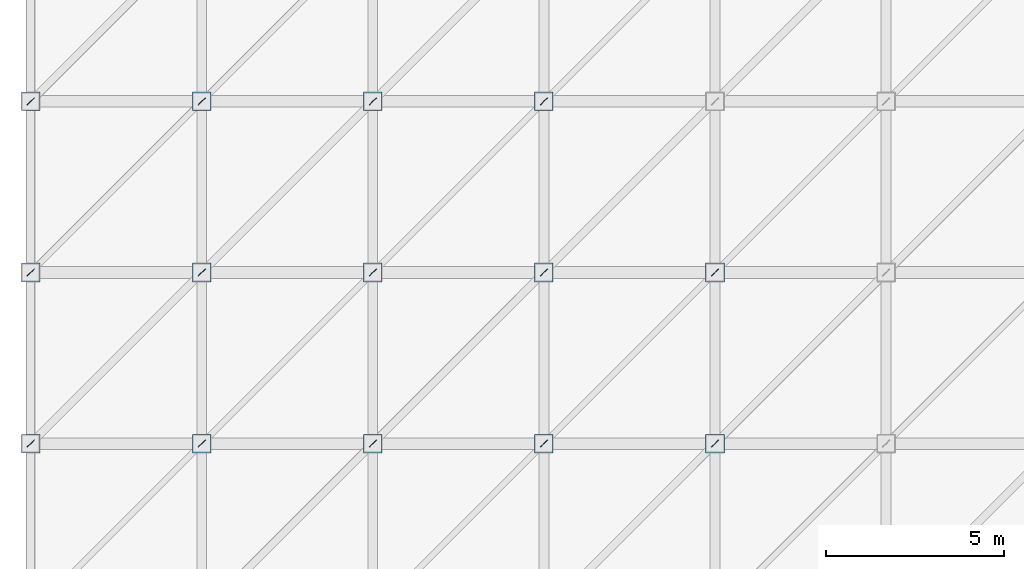
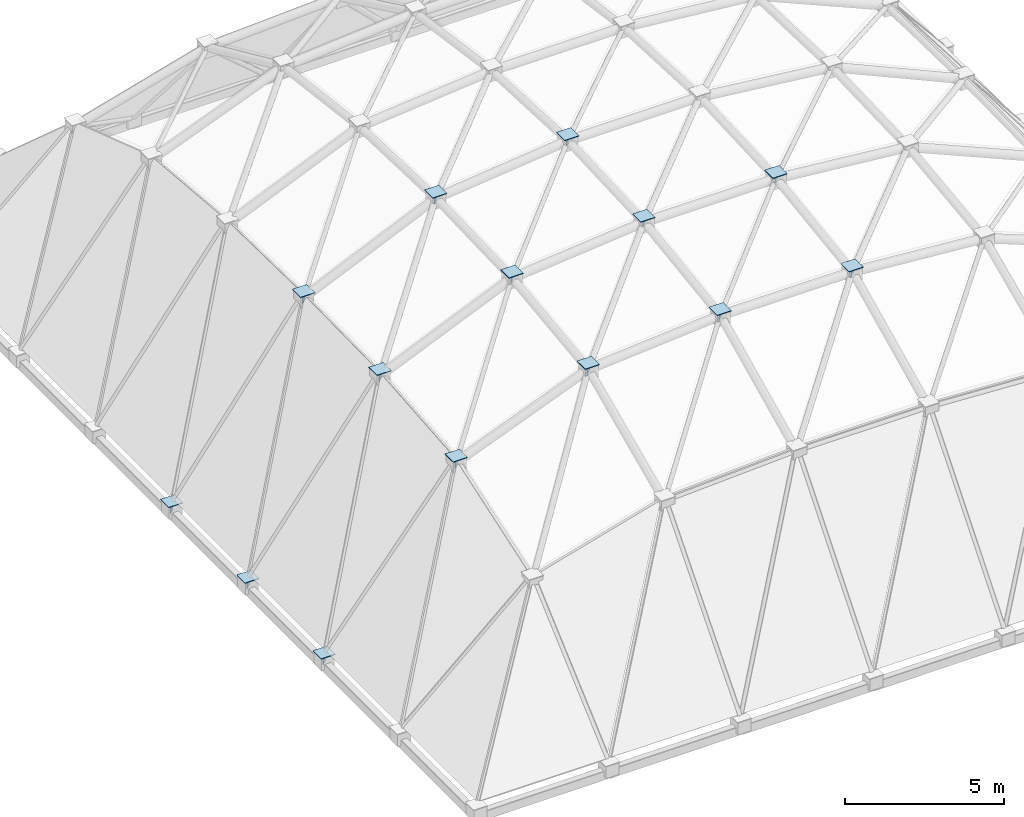
# One storey, part 43 of 70: 28 plates.
"""IFC4 building model written with IfcOpenShell, lengths in metres."""

from ifc_helpers import new_model, si_unit, direction, frame, origin, origin_2d, place, context, subcontext, project, spatial, rectangle, extrude, material, layer, layer_set, type_object, element, save


model = new_model("IFC4")

# Units and contexts
model_context = context("Model", 3, precision=1e-05, world=origin(), true_north=direction((0.0, 1.0)))
body_context = subcontext(model_context, "Body", "Model", "MODEL_VIEW")
ifc_project = project(units=[si_unit("LENGTHUNIT", "METRE"), si_unit("AREAUNIT", "SQUARE_METRE"), si_unit("VOLUMEUNIT", "CUBIC_METRE"), si_unit("PLANEANGLEUNIT", "RADIAN"), si_unit("MASSUNIT", "GRAM", prefix="KILO")], contexts=[model_context])

# Site, building, storey
site_placement = place(None, origin())
site = spatial("IfcSite", under=ifc_project, at=site_placement, CompositionType="ELEMENT")
building_placement = place(site_placement, origin())
building = spatial("IfcBuilding", under=site, at=building_placement, Name="Mavantir Sound Aquarium", CompositionType="ELEMENT")
storey_placement = place(building_placement, frame((0.0, 0.0, 27.0)))
storey = spatial("IfcBuildingStorey", under=building, at=storey_placement, Name="RF", CompositionType="ELEMENT", Elevation=27.0)

# Plates
ifc_material = material(Name="Structural Steel ASTM A572 Gr50", Category="steel")
ifc_layer_1 = layer(ifc_material, 0.01611328125, Name="Structural Steel ASTM A572 Gr50")
ifc_layer_set_1 = layer_set([ifc_layer_1], Name="Structural Steel ASTM A572 Gr50")
plate_type_1 = type_object("IfcPlateType", Name="PLT-GUSSET-16", PredefinedType="SHEET", material=ifc_layer_set_1)
for number, where, z_axis, x_axis, name in (
    (1, (4.800048828125, 50.39990234375, -1.45556640625), (0.0, 0.0, 1.0), (0.707106781187, 0.707106781187, 0.0), "Brace end gusset plate GP-01 4"),
    (2, (0.0, 50.39990234375, -7.33984375), (0.0, 0.0, 1.0), (0.707106781187, 0.707106781187, 0.0), "Brace end gusset plate GP-01 5"),
    (3, (4.800048828125, 55.199951171875, -1.03173828125), (0.0, 0.0, 1.0), (0.707106781187, 0.707106781187, 0.0), "Brace end gusset plate GP-01 6"),
    (4, (0.0, 55.199951171875, -7.33984375), (0.0, 0.0, 1.0), (0.707106781187, 0.707106781187, 0.0), "Brace end gusset plate GP-01 7"),
    (5, (4.800048828125, 60.0, -0.943359375), (0.0, 0.0, 1.0), (0.707106781187, 0.707106781187, 0.0), "Brace end gusset plate GP-01 8"),
    (6, (0.0, 60.0, -7.33984375), (0.0, 0.0, 1.0), (0.707106781187, 0.707106781187, 0.0), "Brace end gusset plate GP-01 9"),
    (7, (9.60009765625, 50.39990234375, 0.43603515625), (0.0, 0.0, 1.0), (0.707106781187, 0.707106781187, 0.0), "Brace end gusset plate GP-01 19"),
    (8, (9.60009765625, 55.199951171875, 1.0341796875), (0.0, 0.0, 1.0), (0.707106781187, 0.707106781187, 0.0), "Brace end gusset plate GP-01 20"),
    (9, (9.60009765625, 60.0, 1.1943359375), (0.0, 0.0, 1.0), (0.707106781187, 0.707106781187, 0.0), "Brace end gusset plate GP-01 21"),
    (10, (14.39990234375, 50.39990234375, 0.82373046875), (0.0, 0.0, 1.0), (0.707106781187, 0.707106781187, 0.0), "Brace end gusset plate GP-01 28"),
    (11, (14.39990234375, 55.199951171875, 1.50244140625), (0.0, 0.0, 1.0), (0.707106781187, 0.707106781187, 0.0), "Brace end gusset plate GP-01 29"),
    (12, (14.39990234375, 60.0, 1.72802734375), (0.0, 0.0, 1.0), (0.707106781187, 0.707106781187, 0.0), "Brace end gusset plate GP-01 30"),
    (13, (19.199951171875, 50.39990234375, 0.82373046875), (0.0, 0.0, 1.0), (0.707106781187, 0.707106781187, 0.0), "Brace end gusset plate GP-01 37"),
    (14, (19.199951171875, 55.199951171875, 1.50244140625), (0.0, 0.0, 1.0), (0.707106781187, 0.707106781187, 0.0), "Brace end gusset plate GP-01 38"),
):
    element("IfcPlate", number, at=place(storey_placement, frame(where, z_axis=z_axis, x_axis=x_axis)), inside=storey, type_object=plate_type_1, Name=name, PredefinedType="SHEET", context=body_context, shape_type="SweptSolid", body=[
        extrude(rectangle(XDim=0.280029296875, YDim=0.01611328125, at=origin_2d()), origin(), (0.0, 0.0, 1.0), 0.280029296875),
    ])
ifc_layer_2 = layer(ifc_material, 0.02490234375, Name="Structural Steel ASTM A572 Gr50")
ifc_layer_set_2 = layer_set([ifc_layer_2], Name="Structural Steel ASTM A572 Gr50")
plate_type_2 = type_object("IfcPlateType", Name="PLT-NODE-25", PredefinedType="SHEET", material=ifc_layer_set_2)
for number, where, z_axis, x_axis, name in (
    (15, (0.0, 50.39990234375, -6.972412109375), (0.0, 0.0, 1.0), (1.0, 0.0, 0.0), "Gridshell steel node cap plate NP-03"),
    (16, (0.0, 55.199951171875, -6.972412109375), (0.0, 0.0, 1.0), (1.0, 0.0, 0.0), "Gridshell steel node cap plate NP-04"),
    (17, (0.0, 60.0, -6.972412109375), (0.0, 0.0, 1.0), (1.0, 0.0, 0.0), "Gridshell steel node cap plate NP-05"),
    (18, (4.800048828125, 50.39990234375, -1.088134765625), (0.0, 0.0, 1.0), (1.0, 0.0, 0.0), "Gridshell steel node cap plate NP-12"),
    (19, (4.800048828125, 55.199951171875, -0.6640625), (0.0, 0.0, 1.0), (1.0, 0.0, 0.0), "Gridshell steel node cap plate NP-13"),
    (20, (4.800048828125, 60.0, -0.575927734375), (0.0, 0.0, 1.0), (1.0, 0.0, 0.0), "Gridshell steel node cap plate NP-14"),
    (21, (9.60009765625, 50.39990234375, 0.803466796875), (0.0, 0.0, 1.0), (1.0, 0.0, 0.0), "Gridshell steel node cap plate NP-21"),
    (22, (9.60009765625, 55.199951171875, 1.40185546875), (0.0, 0.0, 1.0), (1.0, 0.0, 0.0), "Gridshell steel node cap plate NP-22"),
    (23, (9.60009765625, 60.0, 1.561767578125), (0.0, 0.0, 1.0), (1.0, 0.0, 0.0), "Gridshell steel node cap plate NP-23"),
    (24, (14.39990234375, 50.39990234375, 1.191162109375), (0.0, 0.0, 1.0), (1.0, 0.0, 0.0), "Gridshell steel node cap plate NP-30"),
    (25, (14.39990234375, 55.199951171875, 1.870361328125), (0.0, 0.0, 1.0), (1.0, 0.0, 0.0), "Gridshell steel node cap plate NP-31"),
    (26, (14.39990234375, 60.0, 2.095458984375), (0.0, 0.0, 1.0), (1.0, 0.0, 0.0), "Gridshell steel node cap plate NP-32"),
    (27, (19.199951171875, 50.39990234375, 1.191162109375), (0.0, 0.0, 1.0), (1.0, 0.0, 0.0), "Gridshell steel node cap plate NP-39"),
    (28, (19.199951171875, 55.199951171875, 1.870361328125), (0.0, 0.0, 1.0), (1.0, 0.0, 0.0), "Gridshell steel node cap plate NP-40"),
):
    element("IfcPlate", number, at=place(storey_placement, frame(where, z_axis=z_axis, x_axis=x_axis)), inside=storey, type_object=plate_type_2, Name=name, PredefinedType="SHEET", context=body_context, shape_type="SweptSolid", body=[
        extrude(rectangle(XDim=0.52001953125, YDim=0.52001953125, at=origin_2d()), origin(), (0.0, 0.0, 1.0), 0.02490234375),
    ])

save(model, "model.ifc")
